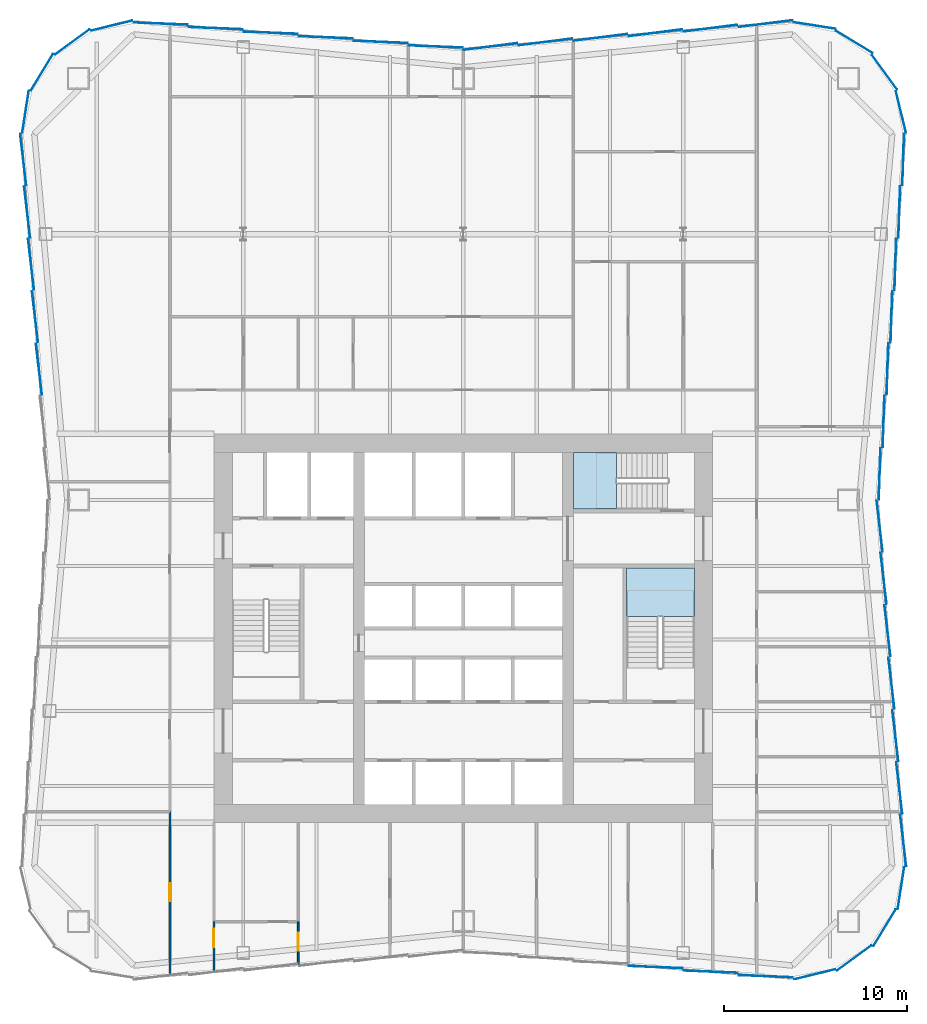
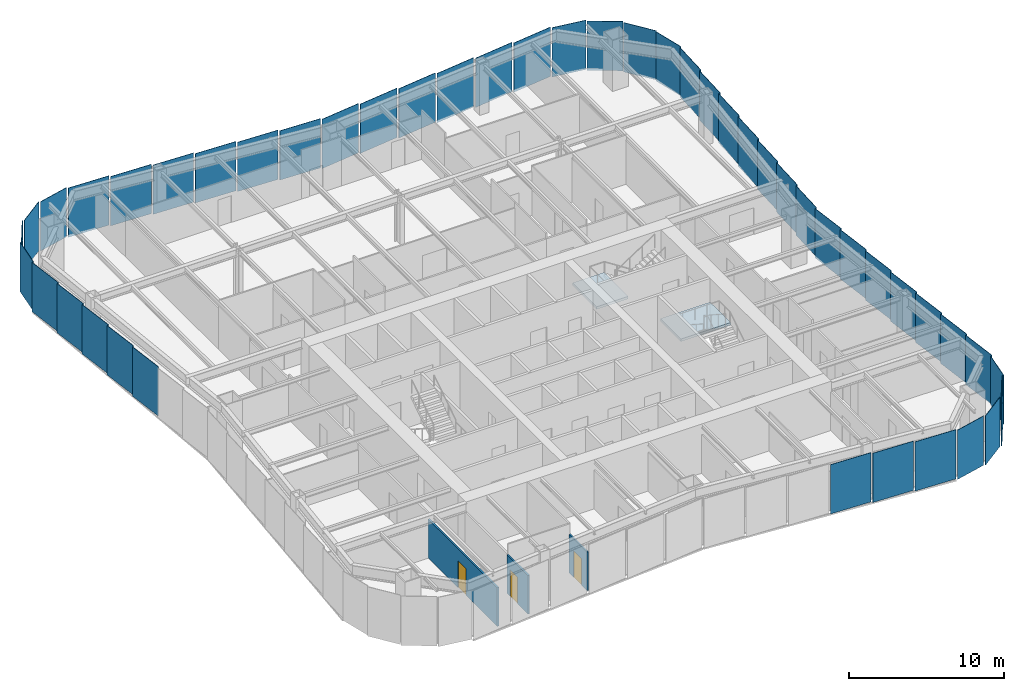
# One storey, part 3 of 8: 46 plates, 3 doors, 3 walls, 2 slabs, 3 openings, 9 elements without a shape of their own.
"""IFC4 building model written with IfcOpenShell, lengths in metres."""

from ifc_helpers import new_model, si_unit, direction, frame, frame_2d, origin, origin_2d, place, context, subcontext, project, spatial, polyline, rectangle, outline, extrude, material, layer, layer_set, type_object, element, fill, aggregate, save


model = new_model("IFC4")

# Units and contexts
model_context = context("Model", 3, precision=1e-05, world=origin(), true_north=direction((0.0, 1.0)))
body_context = subcontext(model_context, "Body", "Model", "MODEL_VIEW")
ifc_project = project(units=[si_unit("LENGTHUNIT", "METRE"), si_unit("AREAUNIT", "SQUARE_METRE"), si_unit("VOLUMEUNIT", "CUBIC_METRE"), si_unit("PLANEANGLEUNIT", "RADIAN"), si_unit("MASSUNIT", "GRAM", prefix="KILO")], contexts=[model_context])

# Site, building, storey
site_placement = place(None, origin())
site = spatial("IfcSite", under=ifc_project, at=site_placement, CompositionType="ELEMENT")
building_placement = place(site_placement, origin())
building = spatial("IfcBuilding", under=site, at=building_placement, Name="Verdant Reach Tower", CompositionType="ELEMENT")
storey_placement = place(building_placement, frame((0.0, 0.0, 154.0)))
storey = spatial("IfcBuildingStorey", under=building, at=storey_placement, Name="L35", CompositionType="ELEMENT", Elevation=154.0)

# Stair, slab
ifc_material_1 = material(Name="Concrete C40/50", Category="concrete")
stair_type = type_object("IfcStairType", Name="CO-STAIR", PredefinedType="HALF_TURN_STAIR", material=ifc_material_1)
stair_1_placement = place(storey_placement, origin())
stair_1 = element("IfcStair", 1, at=stair_1_placement, inside=storey, type_object=stair_type, Name="L35 Exit stair 2", PredefinedType="HALF_TURN_STAIR")
ifc_layer_1 = layer(ifc_material_1, 0.199951171875)
ifc_layer_set_1 = layer_set([ifc_layer_1], Name="CO-STAIR-LANDING")
slab_type = type_object("IfcSlabType", Name="CO-STAIR-LANDING", PredefinedType="LANDING", material=ifc_layer_set_1)
slab_1_placement = place(storey_placement, frame((0.0, 0.0, 1.800048828125)))
slab_1 = element("IfcSlab", 2, at=slab_1_placement, type_object=slab_type, Name="ST-2 landing 1", PredefinedType="LANDING", context=body_context, shape_type="SweptSolid", body=[
    extrude(outline(polyline([(12.60009765625, 28.64990234375), (12.60009765625, 31.300048828125), (8.89990234375, 31.300048828125), (8.89990234375, 28.64990234375), (12.60009765625, 28.64990234375)])), origin(), (0.0, 0.0, 1.0), 0.199951171875),
])
aggregate(stair_1, [slab_1])

stair_2_placement = place(storey_placement, origin())
stair_2 = element("IfcStair", 3, at=stair_2_placement, inside=storey, type_object=stair_type, Name="L35 Exit stair 3", PredefinedType="HALF_TURN_STAIR")
slab_2_placement = place(storey_placement, frame((0.0, 0.0, 1.800048828125)))
slab_2 = element("IfcSlab", 4, at=slab_2_placement, type_object=slab_type, Name="ST-3 landing 1", PredefinedType="LANDING", context=body_context, shape_type="SweptSolid", body=[
    extrude(outline(polyline([(8.35009765625, 37.60009765625), (6.0, 37.60009765625), (6.0, 34.5), (8.35009765625, 34.5), (8.35009765625, 37.60009765625)])), origin(), (0.0, 0.0, 1.0), 0.199951171875),
])
aggregate(stair_2, [slab_2])

# Curtain wall, plates
ifc_material_2 = material(Name="Anodised aluminium", Category="aluminium")
curtain_wall_type = type_object("IfcCurtainWallType", Name="EN-CW SYSTEM Z2", PredefinedType="NOTDEFINED", material=ifc_material_2)
curtain_wall_1_placement = place(storey_placement, origin())
curtain_wall_1 = element("IfcCurtainWall", 5, at=curtain_wall_1_placement, inside=storey, type_object=curtain_wall_type, Name="Curtain wall south-east corner, L35", PredefinedType="NOTDEFINED")
ifc_material_3 = material(Name="Tinted glass with champagne spandrel", Category="glass")
ifc_layer_2 = layer(ifc_material_3, 0.031982421875)
ifc_layer_set_2 = layer_set([ifc_layer_2], Name="EN-PANEL CHAMPAGNE")
plate_type_1 = type_object("IfcPlateType", Name="EN-PANEL CHAMPAGNE", PredefinedType="CURTAIN_PANEL", material=ifc_layer_set_2)
plate_1_placement = place(storey_placement, frame((22.9794921875, 11.6728515625, -0.22607421875), z_axis=(0.0, 0.0, 1.0), x_axis=(0.520291561353, 0.853988694998, 0.0)))
plate_1 = element("IfcPlate", 6, at=plate_1_placement, type_object=plate_type_1, Name="Glass panel south-east corner 3.1, L35", PredefinedType="CURTAIN_PANEL", context=body_context, shape_type="SweptSolid", body=[
    extrude(rectangle(XDim=2.322509765625, YDim=0.031982421875, at=origin_2d()), origin(), (0.0, 0.0, 1.0), 3.8759765625),
])
plate_2_placement = place(storey_placement, frame((23.87353515625, 13.828369140625, -0.22607421875), z_axis=(0.0, 0.0, 1.0), x_axis=(0.154281290631, 0.988026964896, 0.0)))
plate_2 = element("IfcPlate", 7, at=plate_2_placement, type_object=plate_type_1, Name="Glass panel south-east corner 4.1, L35", PredefinedType="CURTAIN_PANEL", context=body_context, shape_type="SweptSolid", body=[
    extrude(rectangle(XDim=2.316162109375, YDim=0.031982421875, at=origin_2d()), origin(), (0.0, 0.0, 1.0), 3.8759765625),
])

curtain_wall_2_placement = place(storey_placement, origin())
curtain_wall_2 = element("IfcCurtainWall", 8, at=curtain_wall_2_placement, inside=storey, type_object=curtain_wall_type, Name="Curtain wall east, L35", PredefinedType="NOTDEFINED")
plate_3_placement = place(storey_placement, frame((23.99853515625, 16.42919921875, -0.22607421875), z_axis=(0.0, 0.0, 1.0), x_axis=(-0.116147092358, 0.993232023717, 0.0)))
plate_3 = element("IfcPlate", 9, at=plate_3_placement, type_object=plate_type_1, Name="Glass panel east face part 1 1.1, L35", PredefinedType="CURTAIN_PANEL", context=body_context, shape_type="SweptSolid", body=[
    extrude(rectangle(XDim=2.819580078125, YDim=0.031982421875, at=origin_2d()), origin(), (0.0, 0.0, 1.0), 3.8759765625),
])
plate_4_placement = place(storey_placement, frame((23.7841796875, 19.293701171875, -0.22607421875), z_axis=(0.0, 0.0, 1.0), x_axis=(-0.116482717753, 0.993192718693, 0.0)))
plate_4 = element("IfcPlate", 10, at=plate_4_placement, type_object=plate_type_1, Name="Glass panel east face part 1 2.1, L35", PredefinedType="CURTAIN_PANEL", context=body_context, shape_type="SweptSolid", body=[
    extrude(rectangle(XDim=2.80517578125, YDim=0.031982421875, at=origin_2d()), origin(), (0.0, 0.0, 1.0), 3.8759765625),
])
plate_5_placement = place(storey_placement, frame((22.92724609375, 39.27783203125, -0.22607421875), z_axis=(0.0, 0.0, 1.0), x_axis=(0.032965971753, 0.999456474643, 0.0)))
plate_5 = element("IfcPlate", 11, at=plate_5_placement, type_object=plate_type_1, Name="Glass panel east face part 2 2.1, L35", PredefinedType="CURTAIN_PANEL", context=body_context, shape_type="SweptSolid", body=[
    extrude(rectangle(XDim=2.80517578125, YDim=0.031982421875, at=origin_2d()), origin(), (0.0, 0.0, 1.0), 3.8759765625),
])
plate_6_placement = place(storey_placement, frame((23.141357421875, 42.135009765625, -0.22607421875), z_axis=(0.0, 0.0, 1.0), x_axis=(0.032965971753, 0.999456474643, 0.0)))
plate_6 = element("IfcPlate", 12, at=plate_6_placement, type_object=plate_type_1, Name="Glass panel east face part 2 3.1, L35", PredefinedType="CURTAIN_PANEL", context=body_context, shape_type="SweptSolid", body=[
    extrude(rectangle(XDim=2.80517578125, YDim=0.031982421875, at=origin_2d()), origin(), (0.0, 0.0, 1.0), 3.8759765625),
])
plate_7_placement = place(storey_placement, frame((23.355712890625, 44.9921875, -0.22607421875), z_axis=(0.0, 0.0, 1.0), x_axis=(0.032965971753, 0.999456474643, 0.0)))
plate_7 = element("IfcPlate", 13, at=plate_7_placement, type_object=plate_type_1, Name="Glass panel east face part 2 4.1, L35", PredefinedType="CURTAIN_PANEL", context=body_context, shape_type="SweptSolid", body=[
    extrude(rectangle(XDim=2.80517578125, YDim=0.031982421875, at=origin_2d()), origin(), (0.0, 0.0, 1.0), 3.8759765625),
])

curtain_wall_3_placement = place(storey_placement, origin())
curtain_wall_3 = element("IfcCurtainWall", 14, at=curtain_wall_3_placement, inside=storey, type_object=curtain_wall_type, Name="Curtain wall north-east corner, L35", PredefinedType="NOTDEFINED")
plate_8_placement = place(storey_placement, frame((23.87353515625, 56.171630859375, -0.22607421875), z_axis=(0.0, 0.0, 1.0), x_axis=(-0.236416170006, 0.971651889598, 0.0)))
plate_8 = element("IfcPlate", 15, at=plate_8_placement, type_object=plate_type_1, Name="Glass panel north-east corner 1.1, L35", PredefinedType="CURTAIN_PANEL", context=body_context, shape_type="SweptSolid", body=[
    extrude(rectangle(XDim=2.316162109375, YDim=0.031982421875, at=origin_2d()), origin(), (0.0, 0.0, 1.0), 3.8759765625),
])
plate_9_placement = place(storey_placement, frame((22.9794921875, 58.3271484375, -0.22607421875), z_axis=(0.0, 0.0, 1.0), x_axis=(-0.589926757843, 0.807456760688, 0.0)))
plate_9 = element("IfcPlate", 16, at=plate_9_placement, type_object=plate_type_1, Name="Glass panel north-east corner 2.1, L35", PredefinedType="CURTAIN_PANEL", context=body_context, shape_type="SweptSolid", body=[
    extrude(rectangle(XDim=2.322509765625, YDim=0.031982421875, at=origin_2d()), origin(), (0.0, 0.0, 1.0), 3.8759765625),
])

curtain_wall_4_placement = place(storey_placement, origin())
curtain_wall_4 = element("IfcCurtainWall", 17, at=curtain_wall_4_placement, inside=storey, type_object=curtain_wall_type, Name="Curtain wall north, L35", PredefinedType="NOTDEFINED")
plate_10_placement = place(storey_placement, frame((16.49853515625, 60.980712890625, -0.22607421875), z_axis=(0.0, 0.0, 1.0), x_axis=(-0.992236570309, -0.124364739946, 0.0)))
plate_10 = element("IfcPlate", 18, at=plate_10_placement, type_object=plate_type_1, Name="Glass panel north face part 1 1.1, L35", PredefinedType="CURTAIN_PANEL", context=body_context, shape_type="SweptSolid", body=[
    extrude(rectangle(XDim=2.965087890625, YDim=0.031982421875, at=origin_2d()), origin(), (0.0, 0.0, 1.0), 3.8759765625),
])
plate_11_placement = place(storey_placement, frame((-1.49560546875, 59.730712890625, -0.22607421875), z_axis=(0.0, 0.0, 1.0), x_axis=(-0.999144163765, 0.041363510662, 0.0)))
plate_11 = element("IfcPlate", 19, at=plate_11_placement, type_object=plate_type_1, Name="Glass panel north face part 2 1.1, L35", PredefinedType="CURTAIN_PANEL", context=body_context, shape_type="SweptSolid", body=[
    extrude(rectangle(XDim=2.941650390625, YDim=0.031982421875, at=origin_2d()), origin(), (0.0, 0.0, 1.0), 3.8759765625),
])
plate_12_placement = place(storey_placement, frame((-4.4912109375, 59.980712890625, -0.22607421875), z_axis=(0.0, 0.0, 1.0), x_axis=(-0.999149202059, 0.041241629766, 0.0)))
plate_12 = element("IfcPlate", 20, at=plate_12_placement, type_object=plate_type_1, Name="Glass panel north face part 2 2.1, L35", PredefinedType="CURTAIN_PANEL", context=body_context, shape_type="SweptSolid", body=[
    extrude(rectangle(XDim=2.950439453125, YDim=0.031982421875, at=origin_2d()), origin(), (0.0, 0.0, 1.0), 3.8759765625),
])

# Curtain wall, plate
curtain_wall_5_placement = place(storey_placement, origin())
curtain_wall_5 = element("IfcCurtainWall", 21, at=curtain_wall_5_placement, inside=storey, type_object=curtain_wall_type, Name="Curtain wall north-west corner, L35", PredefinedType="NOTDEFINED")
plate_13_placement = place(storey_placement, frame((-19.17138671875, 60.87353515625, -0.22607421875), z_axis=(0.0, 0.0, 1.0), x_axis=(-0.971657900775, -0.236391463174, 0.0)))
plate_13 = element("IfcPlate", 22, at=plate_13_placement, type_object=plate_type_1, Name="Glass panel north-west corner 1.1, L35", PredefinedType="CURTAIN_PANEL", context=body_context, shape_type="SweptSolid", body=[
    extrude(rectangle(XDim=2.31640625, YDim=0.031982421875, at=origin_2d()), origin(), (0.0, 0.0, 1.0), 3.8759765625),
])

curtain_wall_6_placement = place(storey_placement, origin())
curtain_wall_6 = element("IfcCurtainWall", 23, at=curtain_wall_6_placement, inside=storey, type_object=curtain_wall_type, Name="Curtain wall west, L35", PredefinedType="NOTDEFINED")
plate_14_placement = place(storey_placement, frame((-23.141357421875, 42.135009765625, -0.22607421875), z_axis=(0.0, 0.0, 1.0), x_axis=(0.116482717753, -0.993192718693, 0.0)))
plate_14 = element("IfcPlate", 24, at=plate_14_placement, type_object=plate_type_1, Name="Glass panel west face part 1 5.1, L35", PredefinedType="CURTAIN_PANEL", context=body_context, shape_type="SweptSolid", body=[
    extrude(rectangle(XDim=2.80517578125, YDim=0.031982421875, at=origin_2d()), origin(), (0.0, 0.0, 1.0), 3.8759765625),
])

# Curtain wall, plates
curtain_wall_7_placement = place(storey_placement, origin())
curtain_wall_7 = element("IfcCurtainWall", 25, at=curtain_wall_7_placement, inside=storey, type_object=curtain_wall_type, Name="Curtain wall south, L35", PredefinedType="NOTDEFINED")
plate_15_placement = place(storey_placement, frame((10.4912109375, 9.519287109375, -0.22607421875), z_axis=(0.0, 0.0, 1.0), x_axis=(0.999149202059, -0.041241629766, 0.0)))
plate_15 = element("IfcPlate", 26, at=plate_15_placement, type_object=plate_type_1, Name="Glass panel south face part 2 4.1, L35", PredefinedType="CURTAIN_PANEL", context=body_context, shape_type="SweptSolid", body=[
    extrude(rectangle(XDim=2.950439453125, YDim=0.031982421875, at=origin_2d()), origin(), (0.0, 0.0, 1.0), 3.8759765625),
])
plate_16_placement = place(storey_placement, frame((13.4912109375, 9.269287109375, -0.22607421875), z_axis=(0.0, 0.0, 1.0), x_axis=(0.999149202059, -0.041241629766, 0.0)))
plate_16 = element("IfcPlate", 27, at=plate_16_placement, type_object=plate_type_1, Name="Glass panel south face part 2 5.1, L35", PredefinedType="CURTAIN_PANEL", context=body_context, shape_type="SweptSolid", body=[
    extrude(rectangle(XDim=2.950439453125, YDim=0.031982421875, at=origin_2d()), origin(), (0.0, 0.0, 1.0), 3.8759765625),
])
plate_17_placement = place(storey_placement, frame((16.49853515625, 9.019287109375, -0.22607421875), z_axis=(0.0, 0.0, 1.0), x_axis=(0.999163230224, -0.040900359019, 0.0)))
plate_17 = element("IfcPlate", 28, at=plate_17_placement, type_object=plate_type_1, Name="Glass panel south face part 2 6.1, L35", PredefinedType="CURTAIN_PANEL", context=body_context, shape_type="SweptSolid", body=[
    extrude(rectangle(XDim=2.965087890625, YDim=0.031982421875, at=origin_2d()), origin(), (0.0, 0.0, 1.0), 3.8759765625),
])
aggregate(curtain_wall_7, [plate_15, plate_16, plate_17])

# Plate
ifc_material_4 = material(Name="Tinted glass with copper spandrel", Category="glass")
ifc_layer_3 = layer(ifc_material_4, 0.031982421875)
ifc_layer_set_3 = layer_set([ifc_layer_3], Name="EN-PANEL COPPER")
plate_type_2 = type_object("IfcPlateType", Name="EN-PANEL COPPER", PredefinedType="CURTAIN_PANEL", material=ifc_layer_set_3)
plate_18_placement = place(storey_placement, frame((23.570068359375, 22.15087890625, -0.22607421875), z_axis=(0.0, 0.0, 1.0), x_axis=(-0.116482717753, 0.993192718693, 0.0)))
plate_18 = element("IfcPlate", 29, at=plate_18_placement, type_object=plate_type_2, Name="Glass panel east face part 1 3.1, L35", PredefinedType="CURTAIN_PANEL", context=body_context, shape_type="SweptSolid", body=[
    extrude(rectangle(XDim=2.80517578125, YDim=0.031982421875, at=origin_2d()), origin(), (0.0, 0.0, 1.0), 3.8759765625),
])

plate_19_placement = place(storey_placement, frame((23.355712890625, 25.0078125, -0.22607421875), z_axis=(0.0, 0.0, 1.0), x_axis=(-0.116482717753, 0.993192718693, 0.0)))
plate_19 = element("IfcPlate", 30, at=plate_19_placement, type_object=plate_type_2, Name="Glass panel east face part 1 4.1, L35", PredefinedType="CURTAIN_PANEL", context=body_context, shape_type="SweptSolid", body=[
    extrude(rectangle(XDim=2.80517578125, YDim=0.031982421875, at=origin_2d()), origin(), (0.0, 0.0, 1.0), 3.8759765625),
])

plate_20_placement = place(storey_placement, frame((23.141357421875, 27.864990234375, -0.22607421875), z_axis=(0.0, 0.0, 1.0), x_axis=(-0.116482717753, 0.993192718693, 0.0)))
plate_20 = element("IfcPlate", 31, at=plate_20_placement, type_object=plate_type_2, Name="Glass panel east face part 1 5.1, L35", PredefinedType="CURTAIN_PANEL", context=body_context, shape_type="SweptSolid", body=[
    extrude(rectangle(XDim=2.80517578125, YDim=0.031982421875, at=origin_2d()), origin(), (0.0, 0.0, 1.0), 3.8759765625),
])

plate_21_placement = place(storey_placement, frame((23.570068359375, 47.84912109375, -0.22607421875), z_axis=(0.0, 0.0, 1.0), x_axis=(0.032965971753, 0.999456474643, 0.0)))
plate_21 = element("IfcPlate", 32, at=plate_21_placement, type_object=plate_type_2, Name="Glass panel east face part 2 5.1, L35", PredefinedType="CURTAIN_PANEL", context=body_context, shape_type="SweptSolid", body=[
    extrude(rectangle(XDim=2.80517578125, YDim=0.031982421875, at=origin_2d()), origin(), (0.0, 0.0, 1.0), 3.8759765625),
])

plate_22_placement = place(storey_placement, frame((23.7841796875, 50.706298828125, -0.22607421875), z_axis=(0.0, 0.0, 1.0), x_axis=(0.032965971753, 0.999456474643, 0.0)))
plate_22 = element("IfcPlate", 33, at=plate_22_placement, type_object=plate_type_2, Name="Glass panel east face part 2 6.1, L35", PredefinedType="CURTAIN_PANEL", context=body_context, shape_type="SweptSolid", body=[
    extrude(rectangle(XDim=2.80517578125, YDim=0.031982421875, at=origin_2d()), origin(), (0.0, 0.0, 1.0), 3.8759765625),
])

plate_23_placement = place(storey_placement, frame((21.3271484375, 59.9794921875, -0.22607421875), z_axis=(0.0, 0.0, 1.0), x_axis=(-0.853988694998, 0.520291561353, 0.0)))
plate_23 = element("IfcPlate", 34, at=plate_23_placement, type_object=plate_type_2, Name="Glass panel north-east corner 3.1, L35", PredefinedType="CURTAIN_PANEL", context=body_context, shape_type="SweptSolid", body=[
    extrude(rectangle(XDim=2.322509765625, YDim=0.031982421875, at=origin_2d()), origin(), (0.0, 0.0, 1.0), 3.8759765625),
])

plate_24_placement = place(storey_placement, frame((19.17138671875, 60.87353515625, -0.22607421875), z_axis=(0.0, 0.0, 1.0), x_axis=(-0.988030887576, 0.154256167447, 0.0)))
plate_24 = element("IfcPlate", 35, at=plate_24_placement, type_object=plate_type_2, Name="Glass panel north-east corner 4.1, L35", PredefinedType="CURTAIN_PANEL", context=body_context, shape_type="SweptSolid", body=[
    extrude(rectangle(XDim=2.31640625, YDim=0.031982421875, at=origin_2d()), origin(), (0.0, 0.0, 1.0), 3.8759765625),
])

aggregate(curtain_wall_3, [plate_8, plate_9, plate_23, plate_24])

plate_25_placement = place(storey_placement, frame((13.4912109375, 60.730712890625, -0.22607421875), z_axis=(0.0, 0.0, 1.0), x_axis=(-0.992194034542, -0.124703639961, 0.0)))
plate_25 = element("IfcPlate", 36, at=plate_25_placement, type_object=plate_type_2, Name="Glass panel north face part 1 2.1, L35", PredefinedType="CURTAIN_PANEL", context=body_context, shape_type="SweptSolid", body=[
    extrude(rectangle(XDim=2.950439453125, YDim=0.031982421875, at=origin_2d()), origin(), (0.0, 0.0, 1.0), 3.8759765625),
])

plate_26_placement = place(storey_placement, frame((10.4912109375, 60.480712890625, -0.22607421875), z_axis=(0.0, 0.0, 1.0), x_axis=(-0.992194034542, -0.124703639961, 0.0)))
plate_26 = element("IfcPlate", 37, at=plate_26_placement, type_object=plate_type_2, Name="Glass panel north face part 1 3.1, L35", PredefinedType="CURTAIN_PANEL", context=body_context, shape_type="SweptSolid", body=[
    extrude(rectangle(XDim=2.950439453125, YDim=0.031982421875, at=origin_2d()), origin(), (0.0, 0.0, 1.0), 3.8759765625),
])

plate_27_placement = place(storey_placement, frame((-7.4912109375, 60.230712890625, -0.22607421875), z_axis=(0.0, 0.0, 1.0), x_axis=(-0.999149202059, 0.041241629766, 0.0)))
plate_27 = element("IfcPlate", 38, at=plate_27_placement, type_object=plate_type_2, Name="Glass panel north face part 2 3.1, L35", PredefinedType="CURTAIN_PANEL", context=body_context, shape_type="SweptSolid", body=[
    extrude(rectangle(XDim=2.950439453125, YDim=0.031982421875, at=origin_2d()), origin(), (0.0, 0.0, 1.0), 3.8759765625),
])

plate_28_placement = place(storey_placement, frame((-10.4912109375, 60.480712890625, -0.22607421875), z_axis=(0.0, 0.0, 1.0), x_axis=(-0.999149202059, 0.041241629766, 0.0)))
plate_28 = element("IfcPlate", 39, at=plate_28_placement, type_object=plate_type_2, Name="Glass panel north face part 2 4.1, L35", PredefinedType="CURTAIN_PANEL", context=body_context, shape_type="SweptSolid", body=[
    extrude(rectangle(XDim=2.950439453125, YDim=0.031982421875, at=origin_2d()), origin(), (0.0, 0.0, 1.0), 3.8759765625),
])

plate_29_placement = place(storey_placement, frame((-13.4912109375, 60.730712890625, -0.22607421875), z_axis=(0.0, 0.0, 1.0), x_axis=(-0.999149202059, 0.041241629766, 0.0)))
plate_29 = element("IfcPlate", 40, at=plate_29_placement, type_object=plate_type_2, Name="Glass panel north face part 2 5.1, L35", PredefinedType="CURTAIN_PANEL", context=body_context, shape_type="SweptSolid", body=[
    extrude(rectangle(XDim=2.950439453125, YDim=0.031982421875, at=origin_2d()), origin(), (0.0, 0.0, 1.0), 3.8759765625),
])

plate_30_placement = place(storey_placement, frame((-21.3271484375, 59.9794921875, -0.22607421875), z_axis=(0.0, 0.0, 1.0), x_axis=(-0.807456760688, -0.589926757843, 0.0)))
plate_30 = element("IfcPlate", 41, at=plate_30_placement, type_object=plate_type_2, Name="Glass panel north-west corner 2.1, L35", PredefinedType="CURTAIN_PANEL", context=body_context, shape_type="SweptSolid", body=[
    extrude(rectangle(XDim=2.322509765625, YDim=0.031982421875, at=origin_2d()), origin(), (0.0, 0.0, 1.0), 3.8759765625),
])

plate_31_placement = place(storey_placement, frame((-22.9794921875, 58.3271484375, -0.22607421875), z_axis=(0.0, 0.0, 1.0), x_axis=(-0.520291561353, -0.853988694998, 0.0)))
plate_31 = element("IfcPlate", 42, at=plate_31_placement, type_object=plate_type_2, Name="Glass panel north-west corner 3.1, L35", PredefinedType="CURTAIN_PANEL", context=body_context, shape_type="SweptSolid", body=[
    extrude(rectangle(XDim=2.322509765625, YDim=0.031982421875, at=origin_2d()), origin(), (0.0, 0.0, 1.0), 3.8759765625),
])

plate_32_placement = place(storey_placement, frame((-23.99853515625, 53.57080078125, -0.22607421875), z_axis=(0.0, 0.0, 1.0), x_axis=(0.116147092358, -0.993232023717, 0.0)))
plate_32 = element("IfcPlate", 43, at=plate_32_placement, type_object=plate_type_2, Name="Glass panel west face part 1 1.1, L35", PredefinedType="CURTAIN_PANEL", context=body_context, shape_type="SweptSolid", body=[
    extrude(rectangle(XDim=2.819580078125, YDim=0.031982421875, at=origin_2d()), origin(), (0.0, 0.0, 1.0), 3.8759765625),
])

ifc_material_5 = material(Name="Tinted glass with dark bronze spandrel", Category="glass")
ifc_layer_4 = layer(ifc_material_5, 0.031982421875)
ifc_layer_set_4 = layer_set([ifc_layer_4], Name="EN-PANEL DARK")
plate_type_3 = type_object("IfcPlateType", Name="EN-PANEL DARK", PredefinedType="CURTAIN_PANEL", material=ifc_layer_set_4)
plate_33_placement = place(storey_placement, frame((19.17138671875, 9.12646484375, -0.22607421875), z_axis=(0.0, 0.0, 1.0), x_axis=(0.971657900775, 0.236391463174, 0.0)))
plate_33 = element("IfcPlate", 44, at=plate_33_placement, type_object=plate_type_3, Name="Glass panel south-east corner 1.1, L35", PredefinedType="CURTAIN_PANEL", context=body_context, shape_type="SweptSolid", body=[
    extrude(rectangle(XDim=2.31640625, YDim=0.031982421875, at=origin_2d()), origin(), (0.0, 0.0, 1.0), 3.8759765625),
])

plate_34_placement = place(storey_placement, frame((21.3271484375, 10.0205078125, -0.22607421875), z_axis=(0.0, 0.0, 1.0), x_axis=(0.807456760688, 0.589926757843, 0.0)))
plate_34 = element("IfcPlate", 45, at=plate_34_placement, type_object=plate_type_3, Name="Glass panel south-east corner 2.1, L35", PredefinedType="CURTAIN_PANEL", context=body_context, shape_type="SweptSolid", body=[
    extrude(rectangle(XDim=2.322509765625, YDim=0.031982421875, at=origin_2d()), origin(), (0.0, 0.0, 1.0), 3.8759765625),
])

aggregate(curtain_wall_1, [plate_33, plate_34, plate_1, plate_2])

plate_35_placement = place(storey_placement, frame((22.92724609375, 30.72216796875, -0.22607421875), z_axis=(0.0, 0.0, 1.0), x_axis=(-0.116482717753, 0.993192718693, 0.0)))
plate_35 = element("IfcPlate", 46, at=plate_35_placement, type_object=plate_type_3, Name="Glass panel east face part 1 6.1, L35", PredefinedType="CURTAIN_PANEL", context=body_context, shape_type="SweptSolid", body=[
    extrude(rectangle(XDim=2.80517578125, YDim=0.031982421875, at=origin_2d()), origin(), (0.0, 0.0, 1.0), 3.8759765625),
])

plate_36_placement = place(storey_placement, frame((22.712890625, 33.575439453125, -0.22607421875), z_axis=(0.0, 0.0, 1.0), x_axis=(-0.116585911919, 0.993180610535, 0.0)))
plate_36 = element("IfcPlate", 47, at=plate_36_placement, type_object=plate_type_3, Name="Glass panel east face part 1 7.1, L35", PredefinedType="CURTAIN_PANEL", context=body_context, shape_type="SweptSolid", body=[
    extrude(rectangle(XDim=2.797119140625, YDim=0.031982421875, at=origin_2d()), origin(), (0.0, 0.0, 1.0), 3.8759765625),
])

plate_37_placement = place(storey_placement, frame((22.712890625, 36.424560546875, -0.22607421875), z_axis=(0.0, 0.0, 1.0), x_axis=(0.033069817188, 0.999453044015, 0.0)))
plate_37 = element("IfcPlate", 48, at=plate_37_placement, type_object=plate_type_3, Name="Glass panel east face part 2 1.1, L35", PredefinedType="CURTAIN_PANEL", context=body_context, shape_type="SweptSolid", body=[
    extrude(rectangle(XDim=2.797119140625, YDim=0.031982421875, at=origin_2d()), origin(), (0.0, 0.0, 1.0), 3.8759765625),
])

plate_38_placement = place(storey_placement, frame((23.99853515625, 53.57080078125, -0.22607421875), z_axis=(0.0, 0.0, 1.0), x_axis=(0.032628234484, 0.99946755741, 0.0)))
plate_38 = element("IfcPlate", 49, at=plate_38_placement, type_object=plate_type_3, Name="Glass panel east face part 2 7.1, L35", PredefinedType="CURTAIN_PANEL", context=body_context, shape_type="SweptSolid", body=[
    extrude(rectangle(XDim=2.819580078125, YDim=0.031982421875, at=origin_2d()), origin(), (0.0, 0.0, 1.0), 3.8759765625),
])

aggregate(curtain_wall_2, [plate_3, plate_4, plate_18, plate_19, plate_20, plate_35, plate_36, plate_37, plate_5, plate_6, plate_7, plate_21, plate_22, plate_38])

plate_39_placement = place(storey_placement, frame((7.4912109375, 60.230712890625, -0.22607421875), z_axis=(0.0, 0.0, 1.0), x_axis=(-0.992194034542, -0.124703639961, 0.0)))
plate_39 = element("IfcPlate", 50, at=plate_39_placement, type_object=plate_type_3, Name="Glass panel north face part 1 4.1, L35", PredefinedType="CURTAIN_PANEL", context=body_context, shape_type="SweptSolid", body=[
    extrude(rectangle(XDim=2.950439453125, YDim=0.031982421875, at=origin_2d()), origin(), (0.0, 0.0, 1.0), 3.8759765625),
])

plate_40_placement = place(storey_placement, frame((4.4912109375, 59.980712890625, -0.22607421875), z_axis=(0.0, 0.0, 1.0), x_axis=(-0.992194034542, -0.124703639961, 0.0)))
plate_40 = element("IfcPlate", 51, at=plate_40_placement, type_object=plate_type_3, Name="Glass panel north face part 1 5.1, L35", PredefinedType="CURTAIN_PANEL", context=body_context, shape_type="SweptSolid", body=[
    extrude(rectangle(XDim=2.950439453125, YDim=0.031982421875, at=origin_2d()), origin(), (0.0, 0.0, 1.0), 3.8759765625),
])

plate_41_placement = place(storey_placement, frame((1.49560546875, 59.730712890625, -0.22607421875), z_axis=(0.0, 0.0, 1.0), x_axis=(-0.992178815188, -0.12482467181, 0.0)))
plate_41 = element("IfcPlate", 52, at=plate_41_placement, type_object=plate_type_3, Name="Glass panel north face part 1 6.1, L35", PredefinedType="CURTAIN_PANEL", context=body_context, shape_type="SweptSolid", body=[
    extrude(rectangle(XDim=2.941650390625, YDim=0.031982421875, at=origin_2d()), origin(), (0.0, 0.0, 1.0), 3.8759765625),
])

plate_42_placement = place(storey_placement, frame((-16.49853515625, 60.980712890625, -0.22607421875), z_axis=(0.0, 0.0, 1.0), x_axis=(-0.999163230224, 0.040900359019, 0.0)))
plate_42 = element("IfcPlate", 53, at=plate_42_placement, type_object=plate_type_3, Name="Glass panel north face part 2 6.1, L35", PredefinedType="CURTAIN_PANEL", context=body_context, shape_type="SweptSolid", body=[
    extrude(rectangle(XDim=2.965087890625, YDim=0.031982421875, at=origin_2d()), origin(), (0.0, 0.0, 1.0), 3.8759765625),
])

aggregate(curtain_wall_4, [plate_10, plate_25, plate_26, plate_39, plate_40, plate_41, plate_11, plate_12, plate_27, plate_28, plate_29, plate_42])

plate_43_placement = place(storey_placement, frame((-23.87353515625, 56.171630859375, -0.22607421875), z_axis=(0.0, 0.0, 1.0), x_axis=(-0.154281290631, -0.988026964896, 0.0)))
plate_43 = element("IfcPlate", 54, at=plate_43_placement, type_object=plate_type_3, Name="Glass panel north-west corner 4.1, L35", PredefinedType="CURTAIN_PANEL", context=body_context, shape_type="SweptSolid", body=[
    extrude(rectangle(XDim=2.316162109375, YDim=0.031982421875, at=origin_2d()), origin(), (0.0, 0.0, 1.0), 3.8759765625),
])

aggregate(curtain_wall_5, [plate_13, plate_30, plate_31, plate_43])

plate_44_placement = place(storey_placement, frame((-23.7841796875, 50.706298828125, -0.22607421875), z_axis=(0.0, 0.0, 1.0), x_axis=(0.116482717753, -0.993192718693, 0.0)))
plate_44 = element("IfcPlate", 55, at=plate_44_placement, type_object=plate_type_3, Name="Glass panel west face part 1 2.1, L35", PredefinedType="CURTAIN_PANEL", context=body_context, shape_type="SweptSolid", body=[
    extrude(rectangle(XDim=2.80517578125, YDim=0.031982421875, at=origin_2d()), origin(), (0.0, 0.0, 1.0), 3.8759765625),
])

plate_45_placement = place(storey_placement, frame((-23.570068359375, 47.84912109375, -0.22607421875), z_axis=(0.0, 0.0, 1.0), x_axis=(0.116482717753, -0.993192718693, 0.0)))
plate_45 = element("IfcPlate", 56, at=plate_45_placement, type_object=plate_type_3, Name="Glass panel west face part 1 3.1, L35", PredefinedType="CURTAIN_PANEL", context=body_context, shape_type="SweptSolid", body=[
    extrude(rectangle(XDim=2.80517578125, YDim=0.031982421875, at=origin_2d()), origin(), (0.0, 0.0, 1.0), 3.8759765625),
])

plate_46_placement = place(storey_placement, frame((-23.355712890625, 44.9921875, -0.22607421875), z_axis=(0.0, 0.0, 1.0), x_axis=(0.116482717753, -0.993192718693, 0.0)))
plate_46 = element("IfcPlate", 57, at=plate_46_placement, type_object=plate_type_3, Name="Glass panel west face part 1 4.1, L35", PredefinedType="CURTAIN_PANEL", context=body_context, shape_type="SweptSolid", body=[
    extrude(rectangle(XDim=2.80517578125, YDim=0.031982421875, at=origin_2d()), origin(), (0.0, 0.0, 1.0), 3.8759765625),
])

aggregate(curtain_wall_6, [plate_32, plate_44, plate_45, plate_46, plate_14])

# Wall, opening, door
ifc_material_6 = material(Name="Gypsum board on steel studs", Category="steel")
ifc_layer_5 = layer(ifc_material_6, 0.10009765625)
ifc_layer_set_5 = layer_set([ifc_layer_5], Name="FL-W1 Partition 100")
wall_type_1 = type_object("IfcWallType", Name="FL-W1 Partition 100", PredefinedType="PARTITIONING", material=ifc_layer_set_5)
wall_1_placement = place(storey_placement, frame((-9.0, 12.00390625, 0.0), z_axis=(0.0, 0.0, 1.0), x_axis=(0.0, -1.0, 0.0)))
wall_1 = element("IfcWall", 58, at=wall_1_placement, inside=storey, type_object=wall_type_1, Name="Partition 35.38", PredefinedType="PARTITIONING", context=body_context, shape_type="SweptSolid", body=[
    extrude(rectangle(XDim=2.333984375, YDim=0.10009765625, at=frame_2d((1.1669921875, 0.0))), origin(), (0.0, 0.0, 1.0), 3.0400390625),
])
opening_1_placement = place(wall_1_placement, frame((0.601806640625, 0.0, 0.0)))
opening_1 = element("IfcOpeningElement", 59, at=opening_1_placement, cuts=wall_1, Name="Opening D3", PredefinedType="OPENING", context=body_context, shape_type="SweptSolid", body=[
    extrude(rectangle(XDim=1.0, YDim=2.10009765625, at=frame_2d((0.5, 1.050048828125))), frame((0.0, 0.06005859375, 0.0), z_axis=(0.0, -1.0, 0.0), x_axis=(1.0, 0.0, 0.0)), (0.0, 0.0, 1.0), 0.1201171875),
])
ifc_material_7 = material(Name="Painted timber door leaf", Category="wood")
door_type_1 = type_object("IfcDoorType", Name="FL-D3 Door 1000x2100", OperationType="NOTDEFINED", PredefinedType="DOOR", material=ifc_material_7)
door_1_placement = place(opening_1_placement, origin())
door_1 = element("IfcDoor", 60, at=door_1_placement, inside=storey, type_object=door_type_1, Name="Door 35-018", OperationType="SINGLE_SWING_LEFT", OverallHeight=2.10009765625, OverallWidth=1.0, PredefinedType="DOOR", context=body_context, shape_type="SweptSolid", body=[
    extrude(rectangle(XDim=1.0, YDim=2.10009765625, at=frame_2d((0.5, 1.050048828125))), frame((0.0, 0.02490234375, 0.0), z_axis=(0.0, -1.0, 0.0), x_axis=(1.0, 0.0, 0.0)), (0.0, 0.0, 1.0), 0.050048828125),
])
fill(opening_1, door_1)

ifc_material_8 = material(Name="Gypsum board on steel studs, fire rated", Category="steel")
ifc_layer_6 = layer(ifc_material_8, 0.125)
ifc_layer_set_6 = layer_set([ifc_layer_6], Name="FL-W2 Corridor wall 125")
wall_type_2 = type_object("IfcWallType", Name="FL-W2 Corridor wall 125", PredefinedType="PARTITIONING", material=ifc_layer_set_6)
wall_2_placement = place(storey_placement, frame((-16.0, 18.0, 0.0), z_axis=(0.0, 0.0, 1.0), x_axis=(0.0, -1.0, 0.0)))
wall_2 = element("IfcWall", 61, at=wall_2_placement, inside=storey, type_object=wall_type_2, Name="Partition 35.01", PredefinedType="PARTITIONING", context=body_context, shape_type="SweptSolid", body=[
    extrude(rectangle(XDim=8.913330078125, YDim=0.125, at=frame_2d((4.45654296875, 0.0))), origin(), (0.0, 0.0, 1.0), 3.0400390625),
])
opening_2_placement = place(wall_2_placement, frame((3.8916015625, 0.0, 0.0)))
opening_2 = element("IfcOpeningElement", 62, at=opening_2_placement, cuts=wall_2, Name="Opening D2", PredefinedType="OPENING", context=body_context, shape_type="SweptSolid", body=[
    extrude(rectangle(XDim=1.0, YDim=2.10009765625, at=frame_2d((0.5, 1.050048828125))), frame((0.0, 0.072509765625, 0.0), z_axis=(0.0, -1.0, 0.0), x_axis=(1.0, 0.0, 0.0)), (0.0, 0.0, 1.0), 0.14501953125),
])
ifc_material_9 = material(Name="Timber door leaf, fire rated", Category="wood")
door_type_2 = type_object("IfcDoorType", Name="FL-D2 Entrance door 1000x2100 FD30", OperationType="NOTDEFINED", PredefinedType="DOOR", material=ifc_material_9)
door_2_placement = place(opening_2_placement, origin())
door_2 = element("IfcDoor", 63, at=door_2_placement, inside=storey, type_object=door_type_2, Name="Door 35-001", OperationType="SINGLE_SWING_LEFT", OverallHeight=2.10009765625, OverallWidth=1.0, PredefinedType="DOOR", context=body_context, shape_type="SweptSolid", body=[
    extrude(rectangle(XDim=1.0, YDim=2.10009765625, at=frame_2d((0.5, 1.050048828125))), frame((0.0, 0.02490234375, 0.0), z_axis=(0.0, -1.0, 0.0), x_axis=(1.0, 0.0, 0.0)), (0.0, 0.0, 1.0), 0.050048828125),
])
fill(opening_2, door_2)

wall_3_placement = place(storey_placement, frame((-13.60009765625, 12.0, 0.0), z_axis=(0.0, 0.0, 1.0), x_axis=(0.0, -1.0, 0.0)))
wall_3 = element("IfcWall", 64, at=wall_3_placement, inside=storey, type_object=wall_type_2, Name="Partition 35.12", PredefinedType="PARTITIONING", context=body_context, shape_type="SweptSolid", body=[
    extrude(rectangle(XDim=2.71337890625, YDim=0.125, at=frame_2d((1.356689453125, 0.0))), origin(), (0.0, 0.0, 1.0), 3.0400390625),
])
opening_3_placement = place(wall_3_placement, frame((0.3916015625, 0.0, 0.0)))
opening_3 = element("IfcOpeningElement", 65, at=opening_3_placement, cuts=wall_3, Name="Opening D2", PredefinedType="OPENING", context=body_context, shape_type="SweptSolid", body=[
    extrude(rectangle(XDim=1.0, YDim=2.10009765625, at=frame_2d((0.5, 1.050048828125))), frame((0.0, 0.072509765625, 0.0), z_axis=(0.0, -1.0, 0.0), x_axis=(1.0, 0.0, 0.0)), (0.0, 0.0, 1.0), 0.14501953125),
])
door_3_placement = place(opening_3_placement, origin())
door_3 = element("IfcDoor", 66, at=door_3_placement, inside=storey, type_object=door_type_2, Name="Door 35-011", OperationType="SINGLE_SWING_LEFT", OverallHeight=2.10009765625, OverallWidth=1.0, PredefinedType="DOOR", context=body_context, shape_type="SweptSolid", body=[
    extrude(rectangle(XDim=1.0, YDim=2.10009765625, at=frame_2d((0.5, 1.050048828125))), frame((0.0, 0.02490234375, 0.0), z_axis=(0.0, -1.0, 0.0), x_axis=(1.0, 0.0, 0.0)), (0.0, 0.0, 1.0), 0.050048828125),
])
fill(opening_3, door_3)

save(model, "model.ifc")
